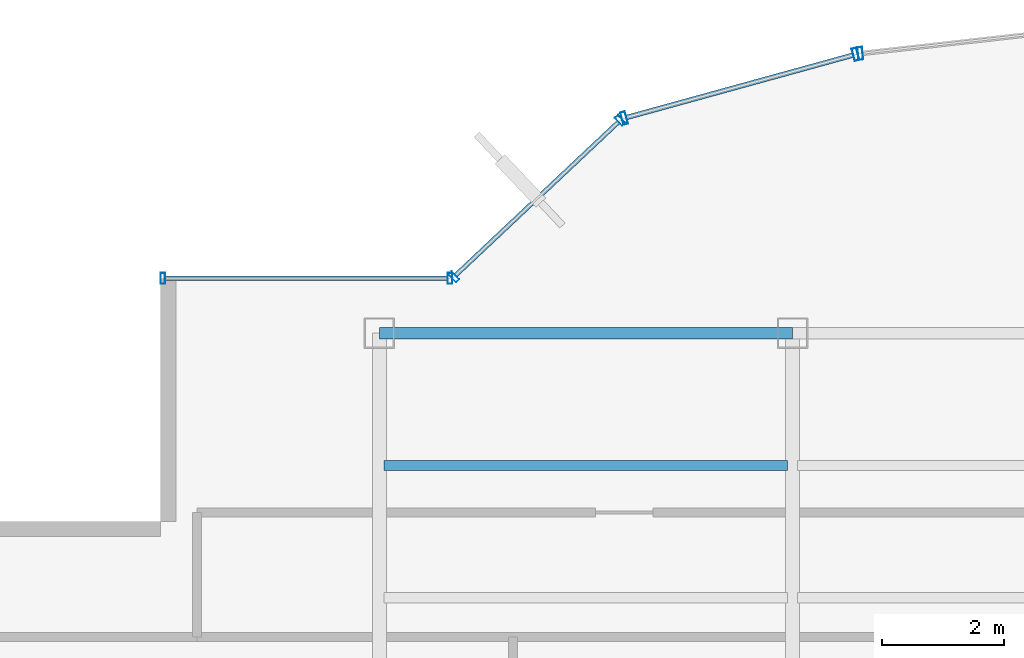
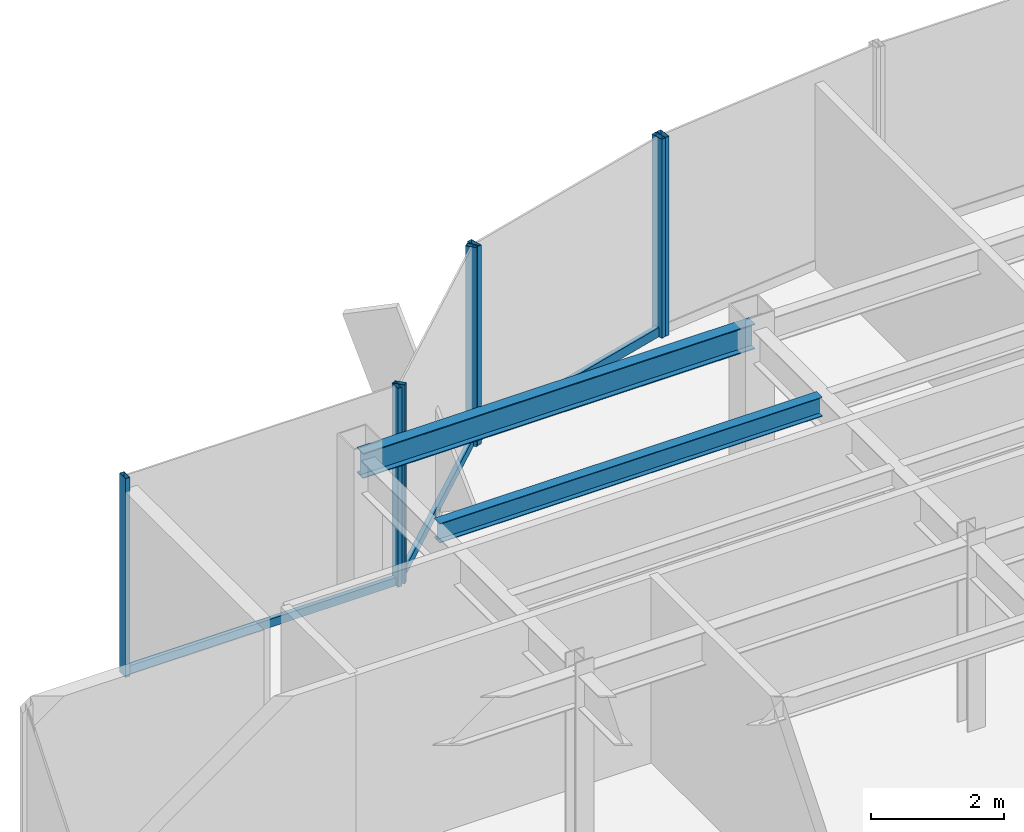
# One storey, part 12 of 22: 10 members, 2 beams, 4 elements without a shape of their own.
"""IFC4 building model written with IfcOpenShell, lengths in metres."""

from ifc_helpers import new_model, si_unit, derived_unit, direction, frame, origin, origin_2d, place, context, subcontext, project, spatial, hollow_rectangle, i_section, extrude, source, transform, mapped, material, material_profile, profile_set, type_object, element, aggregate, save


model = new_model("IFC4")

# Units and contexts
model_context = context("Model", 3, precision=1e-05, world=origin(), true_north=direction((0.0, 1.0)))
body_context = subcontext(model_context, "Body", "Model", "MODEL_VIEW")
ifc_project = project(units=[si_unit("LENGTHUNIT", "METRE"), si_unit("AREAUNIT", "SQUARE_METRE"), si_unit("VOLUMEUNIT", "CUBIC_METRE"), si_unit("PLANEANGLEUNIT", "RADIAN"), si_unit("MASSUNIT", "GRAM", prefix="KILO"), derived_unit("THERMALTRANSMITTANCEUNIT", [(si_unit("POWERUNIT", "WATT"), 1), (si_unit("LENGTHUNIT", "METRE"), -2), (si_unit("THERMODYNAMICTEMPERATUREUNIT", "KELVIN"), -1)])], contexts=[model_context])

# Site, building, storey
site_placement = place(None, origin())
site = spatial("IfcSite", under=ifc_project, at=site_placement, CompositionType="ELEMENT")
building_placement = place(site_placement, origin())
building = spatial("IfcBuilding", under=site, at=building_placement, Name="Skarnbrae Concourse Arena and Tower", CompositionType="ELEMENT")
storey_placement = place(building_placement, frame((0.0, 0.0, 203.199951171875)))
storey = spatial("IfcBuildingStorey", under=building, at=storey_placement, Name="L52", CompositionType="ELEMENT", Elevation=203.199951171875)

# Beams
ifc_material_1 = material(Name="Steel CSA G40.21 350W", Category="steel")
ifc_material_profile_1 = material_profile(ifc_material_1, i_section(OverallWidth=0.19091796875, OverallDepth=0.4599609375, WebThickness=0.010009765625, FlangeThickness=0.01611328125, at=origin_2d()), Name="W460X82")
ifc_profile_set_1 = profile_set([ifc_material_profile_1], Name="Steel CSA G40.21 350W")
beam_type_1 = type_object("IfcBeamType", Name="BM-SPAN-W460X82", PredefinedType="SPANDREL", material=ifc_profile_set_1)
shared_shape_1 = source(origin(), body_context, "Body", "SweptSolid", [
    extrude(i_section(OverallWidth=0.19091796875, OverallDepth=0.4599609375, WebThickness=0.010009765625, FlangeThickness=0.01611328125, at=origin_2d()), origin(), (0.0, 0.0, 1.0), 6.7998046875),
])
beam_1_placement = place(storey_placement, frame((7.60009765625, 34.39990234375, 3.170166015625), z_axis=(1.0, 0.0, 0.0), x_axis=(0.0, 1.0, 0.0)))
element("IfcBeam", 1, at=beam_1_placement, inside=storey, type_object=beam_type_1, Name="L52 Perimeter spandrel Y34.4-1", PredefinedType="SPANDREL", context=body_context, shape_type="MappedRepresentation", body=[
    mapped(shared_shape_1, transform((0.0, 0.0, 0.0))),
])
ifc_material_profile_2 = material_profile(ifc_material_1, i_section(OverallWidth=0.1708984375, OverallDepth=0.35498046875, WebThickness=0.007080078125, FlangeThickness=0.01171875, at=origin_2d()), Name="W360X51")
ifc_profile_set_2 = profile_set([ifc_material_profile_2], Name="Steel CSA G40.21 350W")
beam_type_2 = type_object("IfcBeamType", Name="BM-JOIST-W360X51", PredefinedType="JOIST", material=ifc_profile_set_2)
shared_shape_2 = source(origin(), body_context, "Body", "SweptSolid", [
    extrude(i_section(OverallWidth=0.1708984375, OverallDepth=0.35498046875, WebThickness=0.007080078125, FlangeThickness=0.01171875, at=origin_2d()), origin(), (0.0, 0.0, 1.0), 6.64013671875),
])
beam_2_placement = place(storey_placement, frame((7.679931640625, 32.221923828125, 3.22265625), z_axis=(1.0, 0.0, 0.0), x_axis=(0.0, 1.0, 0.0)))
element("IfcBeam", 2, at=beam_2_placement, inside=storey, type_object=beam_type_2, Name="L52 Secondary floor joist 3.2.1", PredefinedType="JOIST", context=body_context, shape_type="MappedRepresentation", body=[
    mapped(shared_shape_2, transform((0.0, 0.0, 0.0))),
])

# Curtain wall, member
ifc_material_2 = material(Name="Bronze anodised aluminium 6063-T6", Category="aluminium")
curtain_wall_type_1 = type_object("IfcCurtainWallType", Name="CW-SYS-03-PORTAL", PredefinedType="USERDEFINED", material=ifc_material_2)
curtain_wall_1_placement = place(storey_placement, origin())
curtain_wall_1 = element("IfcCurtainWall", 3, at=curtain_wall_1_placement, inside=storey, type_object=curtain_wall_type_1, Name="L52 Unitised curtain wall CW-L52-E12", ObjectType="UNITISED CURTAIN WALL", PredefinedType="USERDEFINED")
ifc_material_profile_3 = material_profile(ifc_material_2, hollow_rectangle(XDim=0.080078125, YDim=0.2099609375, WallThickness=0.00439453125, at=origin_2d()), Name="ALU-MULL-80X210")
ifc_profile_set_3 = profile_set([ifc_material_profile_3], Name="Bronze anodised aluminium 6063-T6")
member_type_1 = type_object("IfcMemberType", Name="CWM-CW-03", PredefinedType="MULLION", material=ifc_profile_set_3)
shared_shape_3 = source(origin(), body_context, "Body", "SweptSolid", [
    extrude(hollow_rectangle(XDim=0.080078125, YDim=0.2099609375, WallThickness=0.00439453125, at=origin_2d()), origin(), (0.0, 0.0, 1.0), 3.650146484375),
])
member_1_placement = place(storey_placement, frame((15.513916015625, 39.001708984375, 0.0), z_axis=(0.0, 0.0, 1.0), x_axis=(-0.993768891873, -0.111460259941, 0.0)))
member_1 = element("IfcMember", 4, at=member_1_placement, type_object=member_type_1, Name="CW-L52-E12 Mullion 2", PredefinedType="MULLION", context=body_context, shape_type="MappedRepresentation", body=[
    mapped(shared_shape_3, transform((0.0, 0.0, 0.0))),
])
aggregate(curtain_wall_1, [member_1])

# Curtain wall, members
curtain_wall_2_placement = place(storey_placement, origin())
curtain_wall_2 = element("IfcCurtainWall", 5, at=curtain_wall_2_placement, inside=storey, type_object=curtain_wall_type_1, Name="L52 Unitised curtain wall CW-L52-E13", ObjectType="UNITISED CURTAIN WALL", PredefinedType="USERDEFINED")
member_2_placement = place(storey_placement, frame((15.435546875, 38.986572265625, 0.0), z_axis=(0.0, 0.0, 1.0), x_axis=(-0.964057388766, -0.265694093207, 0.0)))
member_2 = element("IfcMember", 6, at=member_2_placement, type_object=member_type_1, Name="CW-L52-E13 Mullion 1", PredefinedType="MULLION", context=body_context, shape_type="MappedRepresentation", body=[
    mapped(shared_shape_3, transform((0.0, 0.0, 0.0))),
])
member_3_placement = place(storey_placement, frame((11.62890625, 37.937255859375, 0.0), z_axis=(0.0, 0.0, 1.0), x_axis=(-0.964057388766, -0.265694093207, 0.0)))
member_3 = element("IfcMember", 7, at=member_3_placement, type_object=member_type_1, Name="CW-L52-E13 Mullion 2", PredefinedType="MULLION", context=body_context, shape_type="MappedRepresentation", body=[
    mapped(shared_shape_3, transform((0.0, 0.0, 0.0))),
])

# Curtain wall, member
curtain_wall_type_2 = type_object("IfcCurtainWallType", Name="CW-SYS-05-HIGHZONE", PredefinedType="USERDEFINED", material=ifc_material_2)
curtain_wall_3_placement = place(storey_placement, origin())
curtain_wall_3 = element("IfcCurtainWall", 8, at=curtain_wall_3_placement, inside=storey, type_object=curtain_wall_type_2, Name="L52 Unitised curtain wall CW-L52-E15", ObjectType="UNITISED CURTAIN WALL", PredefinedType="USERDEFINED")
ifc_material_profile_4 = material_profile(ifc_material_2, hollow_rectangle(XDim=0.074951171875, YDim=0.14990234375, WallThickness=0.00390625, at=origin_2d()), Name="ALU-TRAN-75X150")
ifc_profile_set_4 = profile_set([ifc_material_profile_4], Name="Bronze anodised aluminium 6063-T6")
member_type_2 = type_object("IfcMemberType", Name="CWT-CW-05", PredefinedType="USERDEFINED", material=ifc_profile_set_4)
shared_shape_4 = source(origin(), body_context, "Body", "SweptSolid", [
    extrude(hollow_rectangle(XDim=0.074951171875, YDim=0.14990234375, WallThickness=0.00390625, at=origin_2d()), origin(), (0.0, 0.0, 1.0), 4.650146484375),
])
member_4_placement = place(storey_placement, frame((8.72509765625, 35.300048828125, 0.074951171875), z_axis=(-1.0, 0.0, 0.0), x_axis=(0.0, -1.0, 0.0)))
member_4 = element("IfcMember", 9, at=member_4_placement, type_object=member_type_2, Name="CW-L52-E15 Transom 1", ObjectType="TRANSOM", PredefinedType="USERDEFINED", context=body_context, shape_type="MappedRepresentation", body=[
    mapped(shared_shape_4, transform((0.0, 0.0, 0.0))),
])

# Curtain wall, members
curtain_wall_4_placement = place(storey_placement, origin())
curtain_wall_4 = element("IfcCurtainWall", 10, at=curtain_wall_4_placement, inside=storey, type_object=curtain_wall_type_2, Name="L52 Unitised curtain wall CW-L52-E14", ObjectType="UNITISED CURTAIN WALL", PredefinedType="USERDEFINED")
shared_shape_5 = source(origin(), body_context, "Body", "SweptSolid", [
    extrude(hollow_rectangle(XDim=0.074951171875, YDim=0.14990234375, WallThickness=0.00390625, at=origin_2d()), origin(), (0.0, 0.0, 1.0), 3.68212890625),
])
member_5_placement = place(storey_placement, frame((11.53564453125, 37.875244140625, 0.074951171875), z_axis=(-0.728133808476, -0.685435012933, 0.0), x_axis=(0.685435012933, -0.728133808476, 0.0)))
member_5 = element("IfcMember", 11, at=member_5_placement, type_object=member_type_2, Name="CW-L52-E14 Transom 1", ObjectType="TRANSOM", PredefinedType="USERDEFINED", context=body_context, shape_type="MappedRepresentation", body=[
    mapped(shared_shape_5, transform((0.0, 0.0, 0.0))),
])
ifc_material_profile_5 = material_profile(ifc_material_2, hollow_rectangle(XDim=0.074951171875, YDim=0.179931640625, WallThickness=0.00390625, at=origin_2d()), Name="ALU-MULL-75X180")
ifc_profile_set_5 = profile_set([ifc_material_profile_5], Name="Bronze anodised aluminium 6063-T6")
member_type_3 = type_object("IfcMemberType", Name="CWM-CW-05", PredefinedType="MULLION", material=ifc_profile_set_5)
shared_shape_6 = source(origin(), body_context, "Body", "SweptSolid", [
    extrude(hollow_rectangle(XDim=0.074951171875, YDim=0.179931640625, WallThickness=0.00390625, at=origin_2d()), origin(), (0.0, 0.0, 1.0), 3.650146484375),
])
member_6_placement = place(storey_placement, frame((11.56298828125, 37.90087890625, 0.0), z_axis=(0.0, 0.0, 1.0), x_axis=(-0.728130555214, -0.685438468838, 0.0)))
member_6 = element("IfcMember", 12, at=member_6_placement, type_object=member_type_3, Name="CW-L52-E14 Mullion 1", PredefinedType="MULLION", context=body_context, shape_type="MappedRepresentation", body=[
    mapped(shared_shape_6, transform((0.0, 0.0, 0.0))),
])
member_7_placement = place(storey_placement, frame((8.827392578125, 35.32568359375, 0.0), z_axis=(0.0, 0.0, 1.0), x_axis=(-0.728130555214, -0.685438468838, 0.0)))
member_7 = element("IfcMember", 13, at=member_7_placement, type_object=member_type_3, Name="CW-L52-E14 Mullion 2", PredefinedType="MULLION", context=body_context, shape_type="MappedRepresentation", body=[
    mapped(shared_shape_6, transform((0.0, 0.0, 0.0))),
])
aggregate(curtain_wall_4, [member_6, member_7, member_5])

# Member
member_8_placement = place(storey_placement, frame((8.762451171875, 35.300048828125, 0.0), z_axis=(0.0, 0.0, 1.0), x_axis=(-1.0, 0.0, 0.0)))
member_8 = element("IfcMember", 14, at=member_8_placement, type_object=member_type_3, Name="CW-L52-E15 Mullion 1", PredefinedType="MULLION", context=body_context, shape_type="MappedRepresentation", body=[
    mapped(shared_shape_6, transform((0.0, 0.0, 0.0))),
])

member_9_placement = place(storey_placement, frame((4.03759765625, 35.300048828125, 0.0), z_axis=(0.0, 0.0, 1.0), x_axis=(-1.0, 0.0, 0.0)))
member_9 = element("IfcMember", 15, at=member_9_placement, type_object=member_type_3, Name="CW-L52-E15 Mullion 2", PredefinedType="MULLION", context=body_context, shape_type="MappedRepresentation", body=[
    mapped(shared_shape_6, transform((0.0, 0.0, 0.0))),
])

aggregate(curtain_wall_3, [member_8, member_9, member_4])

ifc_material_profile_6 = material_profile(ifc_material_2, hollow_rectangle(XDim=0.080078125, YDim=0.169921875, WallThickness=0.00439453125, at=origin_2d()), Name="ALU-TRAN-80X170")
ifc_profile_set_6 = profile_set([ifc_material_profile_6], Name="Bronze anodised aluminium 6063-T6")
member_type_4 = type_object("IfcMemberType", Name="CWT-CW-03", PredefinedType="USERDEFINED", material=ifc_profile_set_6)
shared_shape_7 = source(origin(), body_context, "Body", "SweptSolid", [
    extrude(hollow_rectangle(XDim=0.080078125, YDim=0.169921875, WallThickness=0.00439453125, at=origin_2d()), origin(), (0.0, 0.0, 1.0), 3.86865234375),
])
member_10_placement = place(storey_placement, frame((15.397216796875, 38.975830078125, 0.0849609375), z_axis=(-0.964062872218, -0.265674195983, 0.0), x_axis=(0.265674195983, -0.964062872218, 0.0)))
member_10 = element("IfcMember", 16, at=member_10_placement, type_object=member_type_4, Name="CW-L52-E13 Transom 1", ObjectType="TRANSOM", PredefinedType="USERDEFINED", context=body_context, shape_type="MappedRepresentation", body=[
    mapped(shared_shape_7, transform((0.0, 0.0, 0.0))),
])

aggregate(curtain_wall_2, [member_2, member_3, member_10])

save(model, "model.ifc")
